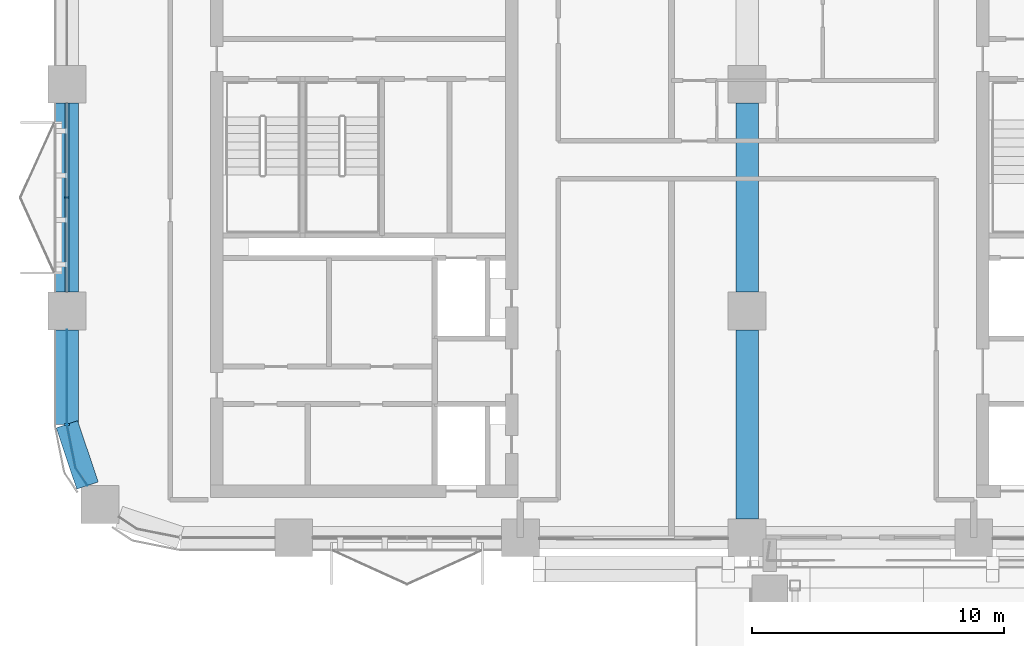
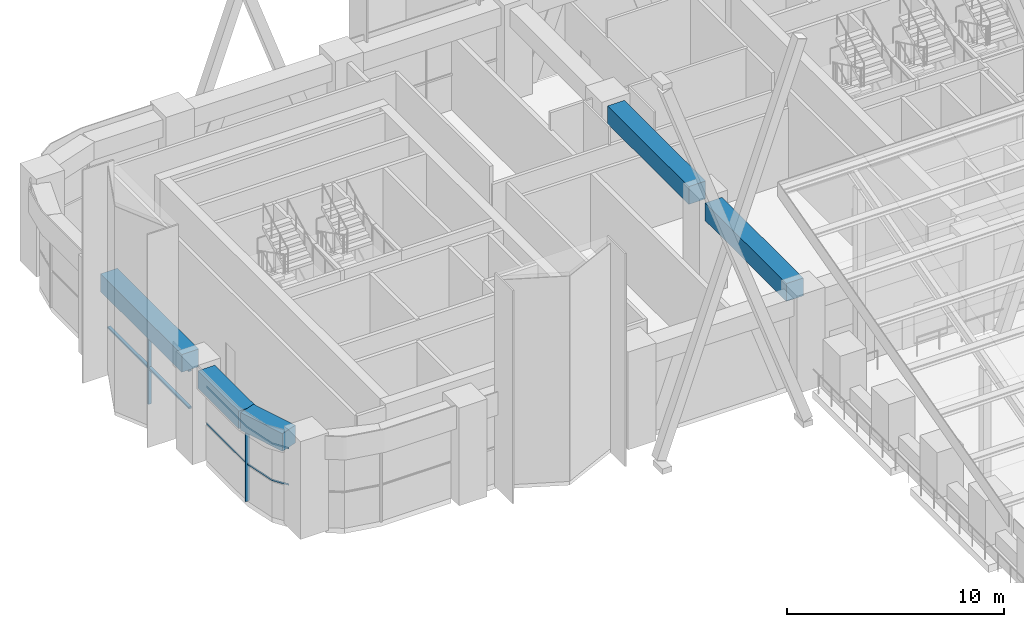
# One storey, part 6 of 22: 6 members, 5 beams, 2 elements without a shape of their own.
"""IFC4 building model written with IfcOpenShell, lengths in metres."""

import ifcopenshell
import ifcopenshell.guid

model = None  # the IFC model being written
_history = None  # IfcOwnerHistory: only IFC2X3 demands one
_inside = {}  # id of a spatial element -> (the spatial element, [elements in it])
_under = {}  # id of a project, library or spatial element -> (it, [spatial elements below it])
_declared = {}  # id of a project -> (the project, [libraries it declares])
_typed = {}  # id of a type object -> (the type object, [elements of that type])
_made_of = {}  # id of a material, layer set ... -> (it, [elements and type objects made of it])


def new_model(schema):
    """Start an empty IFC model of exactly this schema.

    Asked for "IFC4X3", IfcOpenShell would pick the latest addendum, in which some entities
    have other attributes; the version numbers below select the first issue.
    IFC2X3 requires an IfcOwnerHistory on every rooted entity: one is made here for all.
    """
    global model, _history
    if schema == "IFC4X3":
        model = ifcopenshell.file(schema_version=(4, 3, 0, 0))
    else:
        model = ifcopenshell.file(schema=schema)
    _inside.clear()
    _under.clear()
    _declared.clear()
    _typed.clear()
    _made_of.clear()
    _history = None
    if model.schema == "IFC2X3":
        org = make("IfcOrganization", Name="unknown")
        user = make(
            "IfcPersonAndOrganization",
            ThePerson=make("IfcPerson", FamilyName="unknown"),
            TheOrganization=org,
        )
        app = make(
            "IfcApplication",
            ApplicationDeveloper=org,
            Version="unknown",
            ApplicationFullName="unknown",
            ApplicationIdentifier="unknown",
        )
        _history = make(
            "IfcOwnerHistory",
            OwningUser=user,
            OwningApplication=app,
            ChangeAction="ADDED",
            CreationDate=0,
        )
    return model


def make(cls, **values):
    """One entity of the class cls with the attributes given. An attribute that is None is left unset."""
    return model.create_entity(
        cls, **{name: value for name, value in values.items() if value is not None}
    )


def rooted(cls, **values):
    """An entity with a GlobalId (a new one), such as an element, a storey or a relation."""
    return make(cls, GlobalId=ifcopenshell.guid.new(), OwnerHistory=_history, **values)


def si_unit(unit_type, name, prefix=None):
    """IfcSIUnit, for example si_unit("LENGTHUNIT", "METRE", prefix="MILLI")."""
    return make("IfcSIUnit", UnitType=unit_type, Prefix=prefix, Name=name)


def assignment(units):
    """IfcUnitAssignment: the units of a project."""
    return None if units is None else make("IfcUnitAssignment", Units=units)


def point(xyz):
    """IfcCartesianPoint."""
    return None if xyz is None else make("IfcCartesianPoint", Coordinates=xyz)


def direction(xyz):
    """IfcDirection."""
    return None if xyz is None else make("IfcDirection", DirectionRatios=xyz)


def frame(location, z_axis=None, x_axis=None):
    """IfcAxis2Placement3D, a coordinate frame: its origin and axes. An axis left out is left unset."""
    return make(
        "IfcAxis2Placement3D",
        Location=point(location),
        Axis=direction(z_axis),
        RefDirection=direction(x_axis),
    )


def frame_2d(location, x_axis=None):
    """IfcAxis2Placement2D, a coordinate frame in the plane: its origin and x axis."""
    return make(
        "IfcAxis2Placement2D", Location=point(location), RefDirection=direction(x_axis)
    )


def origin():
    """The frame at (0, 0, 0) with its axes left unset."""
    return frame((0.0, 0.0, 0.0))


def origin_2d():
    """The frame at (0, 0) in the plane with its x axis left unset."""
    return frame_2d((0.0, 0.0))


def place(relative_to, where):
    """IfcLocalPlacement: puts the frame where relative to a parent placement (None: the world)."""
    return make(
        "IfcLocalPlacement", PlacementRelTo=relative_to, RelativePlacement=where
    )


def context(
    kind, dimensions, precision=None, world=None, true_north=None, identifier=None
):
    """IfcGeometricRepresentationContext, for example the 3D "Model" context."""
    return make(
        "IfcGeometricRepresentationContext",
        ContextIdentifier=identifier,
        ContextType=kind,
        CoordinateSpaceDimension=dimensions,
        Precision=precision,
        WorldCoordinateSystem=world,
        TrueNorth=true_north,
    )


def subcontext(parent, identifier, kind, view, scale=None):
    """IfcGeometricRepresentationSubContext, for example "Body" below "Model"."""
    return make(
        "IfcGeometricRepresentationSubContext",
        ContextIdentifier=identifier,
        ContextType=kind,
        ParentContext=parent,
        TargetScale=scale,
        TargetView=view,
    )


def project(units=None, contexts=None):
    """IfcProject with its units and contexts."""
    return rooted(
        "IfcProject",
        Name="project",
        RepresentationContexts=contexts,
        UnitsInContext=assignment(units),
    )


def spatial(cls, under=None, at=None, **own):
    """A site, building, storey or space (cls), placed at a placement, below another one or the project."""
    s = rooted(cls, ObjectPlacement=at, **own)
    if under is not None:
        _under.setdefault(under.id(), (under, []))[1].append(s)
    return s


def polyline(points):
    """IfcPolyline through the points."""
    return make("IfcPolyline", Points=[point(p) for p in points])


def profile(cls, at=None, kind="AREA", **sizes):
    """A parametric profile (cls). Its sizes go by their IFC names, for example OverallWidth=200.0."""
    return make(cls, ProfileType=kind, Position=at, **sizes)


def rectangle(**sizes):
    """IfcRectangleProfileDef."""
    return profile("IfcRectangleProfileDef", **sizes)


def outline(outer, holes=None, kind="AREA"):
    """IfcArbitraryClosedProfileDef: a profile drawn as a closed curve; with holes, ...WithVoids."""
    if holes is None:
        return make("IfcArbitraryClosedProfileDef", ProfileType=kind, OuterCurve=outer)
    return make(
        "IfcArbitraryProfileDefWithVoids",
        ProfileType=kind,
        OuterCurve=outer,
        InnerCurves=holes,
    )


def extrude(swept, where, along, depth):
    """IfcExtrudedAreaSolid: the profile swept, set in the frame where, extruded along a direction by depth."""
    return make(
        "IfcExtrudedAreaSolid",
        SweptArea=swept,
        Position=where,
        ExtrudedDirection=direction(along),
        Depth=depth,
    )


def shape(context_of_items, identifier, shape_type, items):
    """IfcShapeRepresentation: the items that make up one representation, for example the "Body"."""
    return make(
        "IfcShapeRepresentation",
        ContextOfItems=context_of_items,
        RepresentationIdentifier=identifier,
        RepresentationType=shape_type,
        Items=items,
    )


def material(Name=None, Category=None):
    """IfcMaterial."""
    return make("IfcMaterial", Name=Name, Category=Category)


def material_profile(
    of_material, cross_section, Name=None, Category=None, Priority=None
):
    """IfcMaterialProfile: a cross section and its material."""
    return make(
        "IfcMaterialProfile",
        Name=Name,
        Material=of_material,
        Profile=cross_section,
        Priority=Priority,
        Category=Category,
    )


def profile_set(profiles, Name=None, composite=None):
    """IfcMaterialProfileSet."""
    return make(
        "IfcMaterialProfileSet",
        Name=Name,
        MaterialProfiles=profiles,
        CompositeProfile=composite,
    )


def made_of(thing, what):
    """Note that an element or type object is made of a material, layer set ...; save() writes the relation."""
    if what is not None:
        _made_of.setdefault(what.id(), (what, []))[1].append(thing)
    return thing


def type_object(cls, material=None, **own):
    """A type object (cls), such as IfcWallType, which elements share."""
    return made_of(rooted(cls, **own), material)


def element(
    cls,
    number,
    at=None,
    inside=None,
    cuts=None,
    type_object=None,
    material=None,
    context=None,
    identifier="Body",
    shape_type=None,
    held_by="IfcProductDefinitionShape",
    body=None,
    shapes=None,
    **own,
):
    """One element of the class cls, such as IfcWall. Its Tag is "e" and its number.

    at: its placement. inside: the storey or other place that contains it. cuts: it is an
    opening in that element (IfcRelVoidsElement). A single representation is given by context,
    identifier, shape_type and body (its items); several are given by shapes. held_by: the class
    of the entity that holds the representations. save() writes the other relations.
    """
    e = rooted(cls, Tag="e%d" % number, ObjectPlacement=at, **own)
    if body is not None:
        shapes = [shape(context, identifier, shape_type, body)]
    if shapes is not None:
        e.Representation = make(held_by, Representations=shapes)
    if inside is not None:
        _inside.setdefault(inside.id(), (inside, []))[1].append(e)
    if cuts is not None:
        rooted(
            "IfcRelVoidsElement", RelatingBuildingElement=cuts, RelatedOpeningElement=e
        )
    if type_object is not None:
        _typed.setdefault(type_object.id(), (type_object, []))[1].append(e)
    return made_of(e, material)


def aggregate(whole, parts):
    """IfcRelAggregates: a whole, such as a stair, and the parts it consists of."""
    return rooted("IfcRelAggregates", RelatingObject=whole, RelatedObjects=parts)


def save(model, path):
    """Write the relations noted so far, then the file.

    IfcRelAggregates (storeys below a building ...), IfcRelContainedInSpatialStructure (elements
    in a storey), IfcRelDefinesByType, IfcRelAssociatesMaterial and IfcRelDeclares: one each for
    every whole, place, type object, material and project.
    """
    for whole, parts in _under.values():
        aggregate(whole, parts)
    for where, things in _inside.values():
        rooted(
            "IfcRelContainedInSpatialStructure",
            RelatedElements=things,
            RelatingStructure=where,
        )
    for kind, things in _typed.values():
        rooted("IfcRelDefinesByType", RelatedObjects=things, RelatingType=kind)
    for what, things in _made_of.values():
        rooted("IfcRelAssociatesMaterial", RelatedObjects=things, RelatingMaterial=what)
    for by, libraries in _declared.values():
        rooted("IfcRelDeclares", RelatingContext=by, RelatedDefinitions=libraries)
    model.write(path)


model = new_model("IFC4")

# Units and contexts
model_context = context("Model", 3, precision=1e-05, world=origin(), true_north=direction((0.0, 1.0)))
body_context = subcontext(model_context, "Body", "Model", "MODEL_VIEW")
ifc_project = project(units=[si_unit("LENGTHUNIT", "METRE"), si_unit("AREAUNIT", "SQUARE_METRE"), si_unit("VOLUMEUNIT", "CUBIC_METRE"), si_unit("PLANEANGLEUNIT", "RADIAN"), si_unit("MASSUNIT", "GRAM", prefix="KILO")], contexts=[model_context])

# Site, building, storey
site_placement = place(None, origin())
site = spatial("IfcSite", under=ifc_project, at=site_placement, CompositionType="ELEMENT")
building_placement = place(site_placement, origin())
building = spatial("IfcBuilding", under=site, at=building_placement, Name="Tessera Arch", CompositionType="ELEMENT")
storey_placement = place(building_placement, frame((0.0, 0.0, 129.39990234375)))
storey = spatial("IfcBuildingStorey", under=building, at=storey_placement, Name="L30", CompositionType="ELEMENT", Elevation=129.39990234375)

# Curtain wall, members
ifc_material_1 = material(Name="CW1 curtain wall")
curtain_wall_type_1 = type_object("IfcCurtainWallType", Name="CW1 curtain wall", PredefinedType="NOTDEFINED", material=ifc_material_1)
curtain_wall_1_placement = place(storey_placement, origin())
curtain_wall_1 = element("IfcCurtainWall", 1, at=curtain_wall_1_placement, inside=storey, type_object=curtain_wall_type_1, Name="CW1 curtain wall W0.27/1 L30", PredefinedType="NOTDEFINED")
ifc_material_2 = material(Name="Anodised aluminium pale metal", Category="aluminium")
ifc_material_profile_1 = material_profile(ifc_material_2, rectangle(XDim=0.159912109375, YDim=0.06005859375, at=origin_2d()), Name="AL 60x160")
ifc_profile_set_1 = profile_set([ifc_material_profile_1], Name="Anodised aluminium pale metal")
member_type_1 = type_object("IfcMemberType", Name="CW1 mullion", PredefinedType="MULLION", material=ifc_profile_set_1)
member_1_placement = place(storey_placement, frame((0.0, 40.5, 0.0), z_axis=(0.0, 0.0, 1.0), x_axis=(1.0, 0.0, 0.0)))
member_1 = element("IfcMember", 2, at=member_1_placement, type_object=member_type_1, Name="CW1 mullion W0.27/1 1", PredefinedType="MULLION", context=body_context, shape_type="SweptSolid", body=[
    extrude(rectangle(XDim=0.159912109375, YDim=0.06005859375, at=origin_2d()), origin(), (0.0, 0.0, 1.0), 4.10009765625),
])
ifc_material_3 = material(Name="Anodised aluminium pale metal", Category="aluminium")
ifc_material_profile_2 = material_profile(ifc_material_3, rectangle(XDim=0.159912109375, YDim=0.10009765625, at=origin_2d()), Name="AL 160x100")
ifc_profile_set_2 = profile_set([ifc_material_profile_2], Name="Anodised aluminium pale metal")
member_type_2 = type_object("IfcMemberType", Name="CW1 transom", PredefinedType="USERDEFINED", material=ifc_profile_set_2)
member_2_placement = place(storey_placement, frame((0.0, 44.25, 4.150146484375), z_axis=(0.0, -1.0, 0.0), x_axis=(1.0, 0.0, 0.0)))
member_2 = element("IfcMember", 3, at=member_2_placement, type_object=member_type_2, Name="CW1 transom W0.27/1 1.1", ObjectType="TRANSOM", PredefinedType="USERDEFINED", context=body_context, shape_type="SweptSolid", body=[
    extrude(rectangle(XDim=0.159912109375, YDim=0.10009765625, at=origin_2d()), origin(), (0.0, 0.0, 1.0), 7.5),
])
member_3_placement = place(storey_placement, frame((0.0, 44.25, 2.050048828125), z_axis=(0.0, -1.0, 0.0), x_axis=(1.0, 0.0, 0.0)))
member_3 = element("IfcMember", 4, at=member_3_placement, type_object=member_type_2, Name="CW1 transom W0.27/1 2.1", ObjectType="TRANSOM", PredefinedType="USERDEFINED", context=body_context, shape_type="SweptSolid", body=[
    extrude(rectangle(XDim=0.159912109375, YDim=0.10009765625, at=origin_2d()), origin(), (0.0, 0.0, 1.0), 7.5),
])
aggregate(curtain_wall_1, [member_1, member_2, member_3])

ifc_material_4 = material(Name="CW2 curtain wall")
curtain_wall_type_2 = type_object("IfcCurtainWallType", Name="CW2 curtain wall", PredefinedType="NOTDEFINED", material=ifc_material_4)
curtain_wall_2_placement = place(storey_placement, origin())
curtain_wall_2 = element("IfcCurtainWall", 5, at=curtain_wall_2_placement, inside=storey, type_object=curtain_wall_type_2, Name="CW2 curtain wall W0.27/2 L30", PredefinedType="NOTDEFINED")
ifc_material_5 = material(Name="Anodised aluminium pale metal", Category="aluminium")
ifc_material_profile_3 = material_profile(ifc_material_5, rectangle(XDim=0.199951171875, YDim=0.080078125, at=origin_2d()), Name="AL 80x200")
ifc_profile_set_3 = profile_set([ifc_material_profile_3], Name="Anodised aluminium pale metal")
member_type_3 = type_object("IfcMemberType", Name="CW2 mullion", PredefinedType="MULLION", material=ifc_profile_set_3)
member_4_placement = place(storey_placement, frame((0.0, 31.5, 0.0), z_axis=(0.0, 0.0, 1.0), x_axis=(1.0, 0.0, 0.0)))
member_4 = element("IfcMember", 6, at=member_4_placement, type_object=member_type_3, Name="CW2 mullion W0.27/2 1", PredefinedType="MULLION", context=body_context, shape_type="SweptSolid", body=[
    extrude(rectangle(XDim=0.199951171875, YDim=0.080078125, at=origin_2d()), origin(), (0.0, 0.0, 1.0), 4.10009765625),
])
ifc_material_6 = material(Name="Anodised aluminium pale metal", Category="aluminium")
ifc_material_profile_4 = material_profile(ifc_material_6, rectangle(XDim=0.199951171875, YDim=0.10009765625, at=origin_2d()), Name="AL 200x100")
ifc_profile_set_4 = profile_set([ifc_material_profile_4], Name="Anodised aluminium pale metal")
member_type_4 = type_object("IfcMemberType", Name="CW2 transom", PredefinedType="USERDEFINED", material=ifc_profile_set_4)
member_5_placement = place(storey_placement, frame((0.0, 0.0, 2.050048828125)))
member_5 = element("IfcMember", 7, at=member_5_placement, type_object=member_type_4, Name="CW2 transom W0.27/2 1", ObjectType="TRANSOM", PredefinedType="USERDEFINED", context=body_context, shape_type="SweptSolid", body=[
    extrude(outline(polyline([(0.010009765625, 31.5009765625), (0.010009765625, 35.25), (-0.010009765625, 35.25), (-0.010009765625, 31.4990234375), (0.3330078125, 29.77392578125), (0.80859375, 29.0625), (0.8251953125, 29.073486328125), (0.351806640625, 29.78173828125), (0.010009765625, 31.5009765625)])), origin(), (0.0, 0.0, 1.0), 0.10009765625),
])
member_6_placement = place(storey_placement, frame((0.0, 0.0, 4.10009765625)))
member_6 = element("IfcMember", 8, at=member_6_placement, type_object=member_type_4, Name="CW2 transom W0.27/2 2", ObjectType="TRANSOM", PredefinedType="USERDEFINED", context=body_context, shape_type="SweptSolid", body=[
    extrude(outline(polyline([(0.010009765625, 31.5009765625), (0.010009765625, 35.25), (-0.010009765625, 35.25), (-0.010009765625, 31.4990234375), (0.3330078125, 29.77392578125), (0.80859375, 29.0625), (0.8251953125, 29.073486328125), (0.351806640625, 29.78173828125), (0.010009765625, 31.5009765625)])), origin(), (0.0, 0.0, 1.0), 0.10009765625),
])
aggregate(curtain_wall_2, [member_4, member_5, member_6])

# Beams
ifc_material_7 = material(Name="Concrete C70/85", Category="concrete")
ifc_material_profile_5 = material_profile(ifc_material_7, rectangle(XDim=0.89990234375, YDim=1.0, at=origin_2d()), Name="RC spandrel beam 900 x 1000 Concrete C70/85")
ifc_profile_set_5 = profile_set([ifc_material_profile_5], Name="Concrete C70/85")
beam_type = type_object("IfcBeamType", Name="RC spandrel beam 900 x 1000 Concrete C70/85", PredefinedType="BEAM", material=ifc_profile_set_5)
beam_1_placement = place(storey_placement, frame((0.0, 44.25, 4.7001953125), z_axis=(0.0, -1.0, 0.0), x_axis=(1.0, 0.0, 0.0)))
element("IfcBeam", 9, at=beam_1_placement, inside=storey, type_object=beam_type, Name="Spandrel beam L30 W0.27/1", PredefinedType="BEAM", context=body_context, shape_type="SweptSolid", body=[
    extrude(rectangle(XDim=0.89990234375, YDim=1.0, at=origin_2d()), origin(), (0.0, 0.0, 1.0), 7.5),
])
beam_2_placement = place(storey_placement, frame((0.0, 35.25, 4.7001953125), z_axis=(0.0, -1.0, 0.0), x_axis=(1.0, 0.0, 0.0)))
element("IfcBeam", 10, at=beam_2_placement, inside=storey, type_object=beam_type, Name="Spandrel beam L30 W0.27/2.1", PredefinedType="BEAM", context=body_context, shape_type="SweptSolid", body=[
    extrude(rectangle(XDim=0.89990234375, YDim=1.0, at=origin_2d()), origin(), (0.0, 0.0, 1.0), 3.75),
])
beam_3_placement = place(storey_placement, frame((0.0, 31.5, 4.7001953125), z_axis=(0.31842525032, -0.947947973234, 0.0), x_axis=(0.947947973234, 0.31842525032, 0.0)))
element("IfcBeam", 11, at=beam_3_placement, inside=storey, type_object=beam_type, Name="Spandrel beam L30 W0.27/2.2", PredefinedType="BEAM", context=body_context, shape_type="SweptSolid", body=[
    extrude(rectangle(XDim=0.89990234375, YDim=1.0, at=origin_2d()), origin(), (0.0, 0.0, 1.0), 2.5654296875),
])
for number, where, z_axis, x_axis, name in (
    (12, (27.0, 27.75, 4.7001953125), (0.0, 1.0, 0.0), (-1.0, 0.0, 0.0), "Interface beam L30 I0C4D-C4E"),
    (13, (27.0, 36.75, 4.7001953125), (0.0, 1.0, 0.0), (-1.0, 0.0, 0.0), "Interface beam L30 I0C4E-C4F"),
):
    element("IfcBeam", number, at=place(storey_placement, frame(where, z_axis=z_axis, x_axis=x_axis)), inside=storey, type_object=beam_type, Name=name, PredefinedType="BEAM", context=body_context, shape_type="SweptSolid", body=[
        extrude(rectangle(XDim=0.89990234375, YDim=1.0, at=origin_2d()), origin(), (0.0, 0.0, 1.0), 7.5),
    ])

save(model, "model.ifc")
